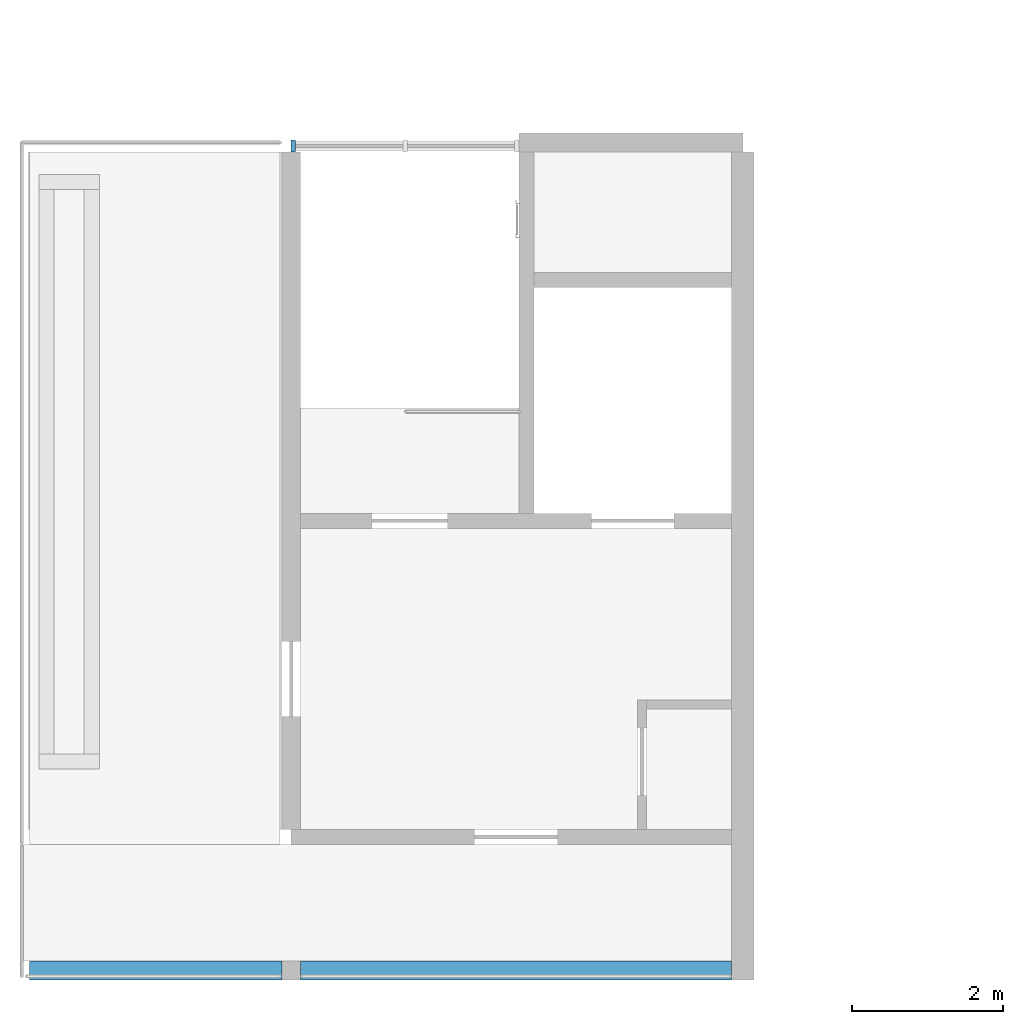
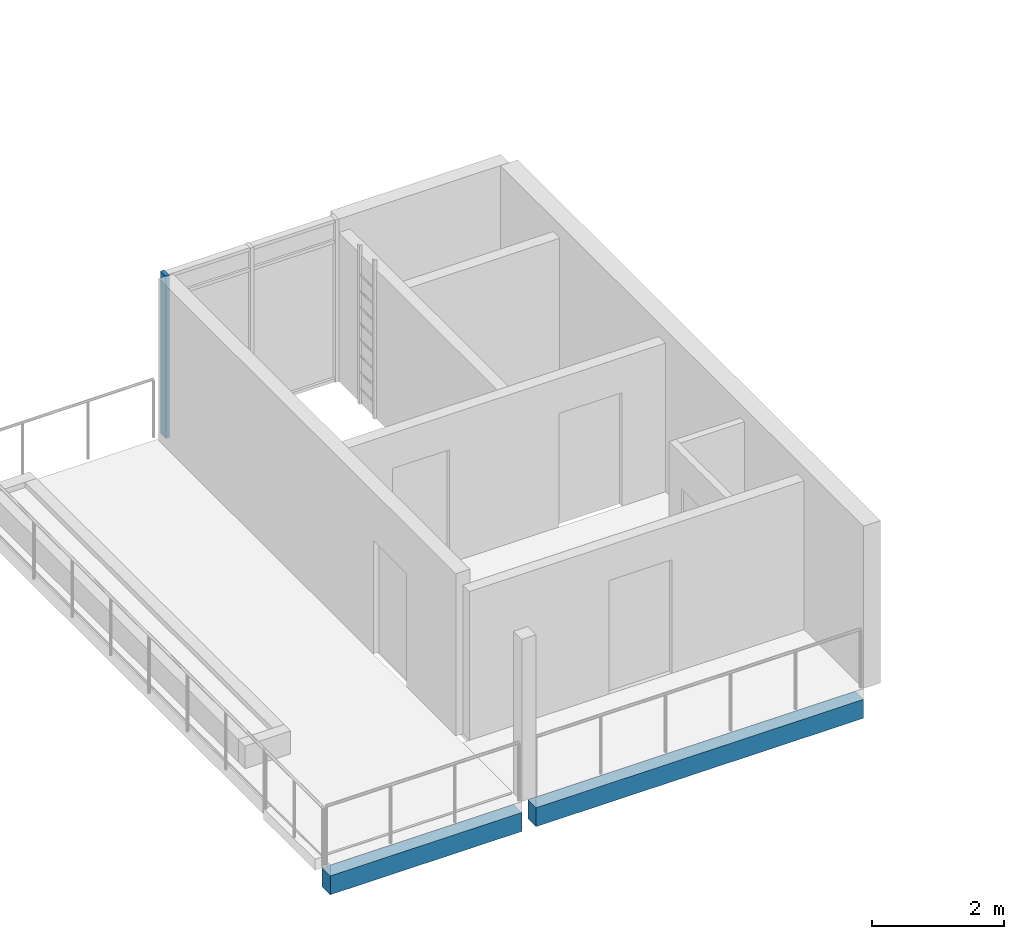
# One storey, part 3 of 33: 2 beams, 1 member, 1 element without a shape of its own.
"""IFC4 building model written with IfcOpenShell, lengths in metres."""

from ifc_helpers import new_model, si_unit, direction, frame, origin, origin_2d, place, context, subcontext, project, spatial, rectangle, extrude, material, material_profile, profile_set, type_object, element, aggregate, save


model = new_model("IFC4")

# Units and contexts
model_context = context("Model", 3, precision=1e-05, world=origin(), true_north=direction((0.0, 1.0)))
body_context = subcontext(model_context, "Body", "Model", "MODEL_VIEW")
ifc_project = project(units=[si_unit("LENGTHUNIT", "METRE"), si_unit("AREAUNIT", "SQUARE_METRE"), si_unit("VOLUMEUNIT", "CUBIC_METRE"), si_unit("PLANEANGLEUNIT", "RADIAN"), si_unit("MASSUNIT", "GRAM", prefix="KILO")], contexts=[model_context])

# Site, building, storey
site_placement = place(None, origin())
site = spatial("IfcSite", under=ifc_project, at=site_placement, CompositionType="ELEMENT")
building_placement = place(site_placement, origin())
building = spatial("IfcBuilding", under=site, at=building_placement, Name="Ridgestep Commons", CompositionType="ELEMENT")
storey_placement = place(building_placement, frame((0.0, 0.0, 42.0)))
storey = spatial("IfcBuildingStorey", under=building, at=storey_placement, Name="L14", CompositionType="ELEMENT", Elevation=42.0)

# Beams
ifc_material_1 = material(Name="Precast concrete C40/50", Category="concrete")
ifc_material_profile_1 = material_profile(ifc_material_1, rectangle(XDim=0.25, YDim=0.35009765625, at=origin_2d()), Name="PC 250x350")
ifc_profile_set_1 = profile_set([ifc_material_profile_1], Name="Precast concrete C40/50")
beam_type = type_object("IfcBeamType", Name="Loggia edge beam 250 x 350", PredefinedType="SPANDREL", material=ifc_profile_set_1)
beam_1_placement = place(storey_placement, frame((19.324951171875, 11.875, -0.375), z_axis=(1.0, 0.0, 0.0), x_axis=(0.0, 1.0, 0.0)))
element("IfcBeam", 1, at=beam_1_placement, inside=storey, type_object=beam_type, Name="Loggia edge beam A1T3 L14", PredefinedType="SPANDREL", context=body_context, shape_type="SweptSolid", body=[
    extrude(rectangle(XDim=0.25, YDim=0.35009765625, at=origin_2d()), origin(), (0.0, 0.0, 1.0), 3.35009765625),
])
beam_2_placement = place(storey_placement, frame((22.925048828125, 11.875, -0.375), z_axis=(1.0, 0.0, 0.0), x_axis=(0.0, 1.0, 0.0)))
element("IfcBeam", 2, at=beam_2_placement, inside=storey, type_object=beam_type, Name="Loggia edge beam A1C L14", PredefinedType="SPANDREL", context=body_context, shape_type="SweptSolid", body=[
    extrude(rectangle(XDim=0.25, YDim=0.35009765625, at=origin_2d()), origin(), (0.0, 0.0, 1.0), 5.724853515625),
])

# Curtain wall, member
ifc_material_2 = material(Name="Aluminium 6063-T6 and glass", Category="aluminium")
curtain_wall_type = type_object("IfcCurtainWallType", Name="Curtain wall stair strip", PredefinedType="NOTDEFINED", material=ifc_material_2)
curtain_wall_placement = place(storey_placement, origin())
curtain_wall = element("IfcCurtainWall", 3, at=curtain_wall_placement, inside=storey, type_object=curtain_wall_type, Name="Curtain wall A1C level 14", PredefinedType="NOTDEFINED")
ifc_material_3 = material(Name="Aluminium 6063-T6", Category="aluminium")
ifc_material_profile_2 = material_profile(ifc_material_3, rectangle(XDim=0.159912109375, YDim=0.06005859375, at=origin_2d()), Name="Mullion 60 x 160")
ifc_profile_set_2 = profile_set([ifc_material_profile_2], Name="Aluminium 6063-T6")
member_type = type_object("IfcMemberType", Name="Mullion 60 x 160", PredefinedType="MULLION", material=ifc_profile_set_2)
member_placement = place(storey_placement, frame((22.830078125, 22.830078125, 0.0), z_axis=(0.0, 0.0, 1.0), x_axis=(0.0, 1.0, 0.0)))
member = element("IfcMember", 4, at=member_placement, type_object=member_type, Name="CW1 mullion 1", PredefinedType="MULLION", context=body_context, shape_type="SweptSolid", body=[
    extrude(rectangle(XDim=0.159912109375, YDim=0.06005859375, at=origin_2d()), origin(), (0.0, 0.0, 1.0), 3.0),
])
aggregate(curtain_wall, [member])

save(model, "model.ifc")
